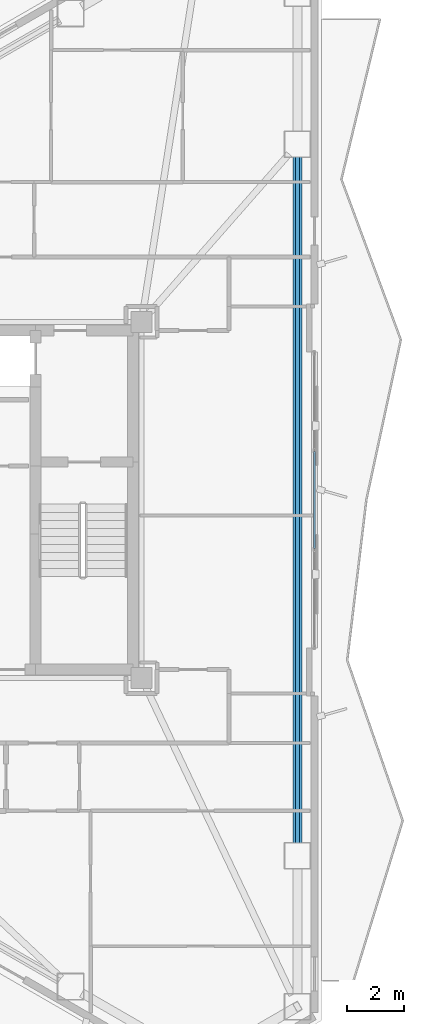
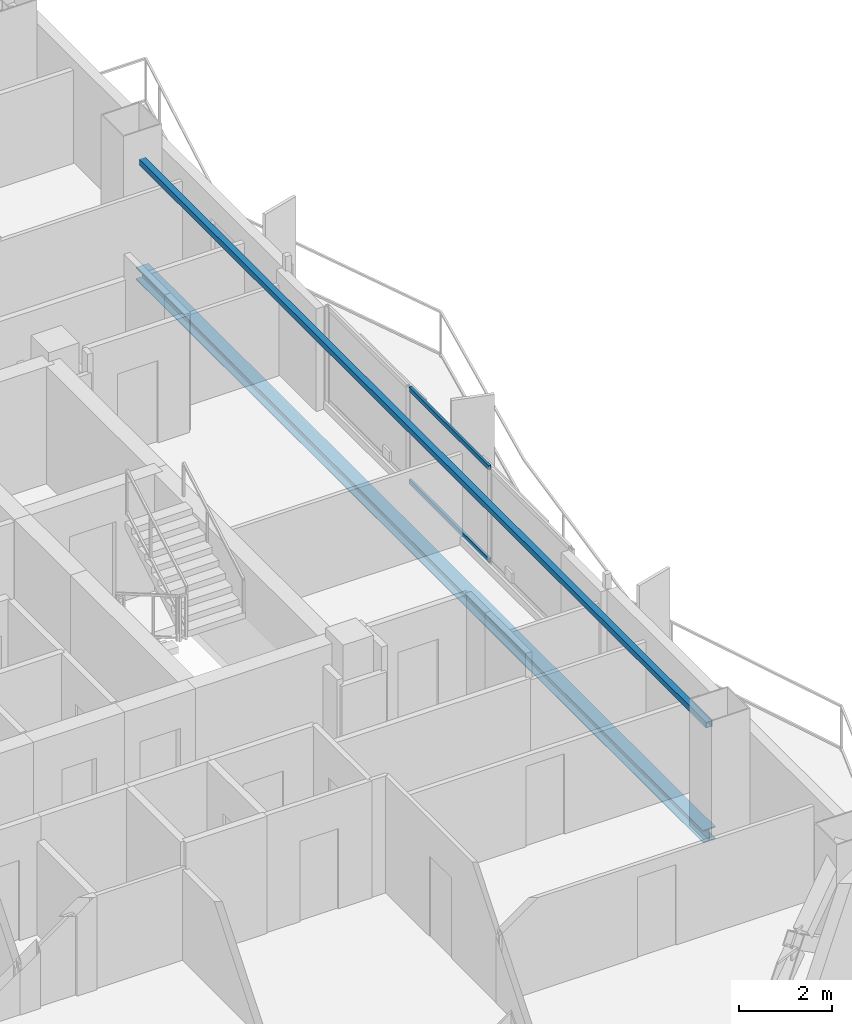
# One storey, part 8 of 19: 2 beams, 2 members, 1 element without a shape of its own.
"""IFC4 building model written with IfcOpenShell, lengths in metres."""

from ifc_helpers import new_model, si_unit, direction, frame, origin, origin_2d, place, context, subcontext, project, spatial, hollow_rectangle, i_section, extrude, material, layer, layer_set, material_profile, profile_set, type_object, element, aggregate, save


model = new_model("IFC4")

# Units and contexts
model_context = context("Model", 3, precision=1e-05, world=origin(), true_north=direction((0.0, 1.0)))
body_context = subcontext(model_context, "Body", "Model", "MODEL_VIEW")
ifc_project = project(units=[si_unit("LENGTHUNIT", "METRE"), si_unit("AREAUNIT", "SQUARE_METRE"), si_unit("VOLUMEUNIT", "CUBIC_METRE"), si_unit("PLANEANGLEUNIT", "RADIAN"), si_unit("MASSUNIT", "GRAM", prefix="KILO")], contexts=[model_context])

# Site, building, storey
site_placement = place(None, origin())
site = spatial("IfcSite", under=ifc_project, at=site_placement, CompositionType="ELEMENT")
building_placement = place(site_placement, origin())
building = spatial("IfcBuilding", under=site, at=building_placement, Name="Mersakhor Tower and Convention Hall", CompositionType="ELEMENT")
storey_placement = place(building_placement, frame((0.0, 0.0, 147.60009765625)))
storey = spatial("IfcBuildingStorey", under=building, at=storey_placement, Name="L41", CompositionType="ELEMENT", Elevation=147.60009765625)

# Beams
ifc_material_1 = material(Name="Steel S355", Category="steel")
ifc_material_profile_1 = material_profile(ifc_material_1, hollow_rectangle(XDim=0.14990234375, YDim=0.14990234375, WallThickness=0.010009765625, at=origin_2d()), Name="SHS 150x150x10")
ifc_profile_set_1 = profile_set([ifc_material_profile_1], Name="Steel S355")
beam_type_1 = type_object("IfcBeamType", Name="BM-GRT-SHS150", PredefinedType="USERDEFINED", material=ifc_profile_set_1)
beam_1_placement = place(storey_placement, frame((41.619140625, 38.8837890625, 2.47998046875), z_axis=(0.0, -1.0, 0.0), x_axis=(1.0, 0.0, 0.0)))
element("IfcBeam", 1, at=beam_1_placement, inside=storey, type_object=beam_type_1, Name="L41 Facade Support Girt GRT-F2", ObjectType="GIRT", PredefinedType="USERDEFINED", context=body_context, shape_type="SweptSolid", body=[
    extrude(hollow_rectangle(XDim=0.14990234375, YDim=0.14990234375, WallThickness=0.010009765625, at=origin_2d()), origin(), (0.0, 0.0, 1.0), 24.267578125),
])
ifc_material_2 = material(Name="Steel S355", Category="steel")
ifc_material_profile_2 = material_profile(ifc_material_2, i_section(OverallWidth=0.30908203125, OverallDepth=0.320556640625, WebThickness=0.013916015625, FlangeThickness=0.021728515625, at=origin_2d()), Name="UC 305x305x137")
ifc_profile_set_2 = profile_set([ifc_material_profile_2], Name="Steel S355")
beam_type_2 = type_object("IfcBeamType", Name="BM-SPD-UC305", PredefinedType="SPANDREL", material=ifc_profile_set_2)
beam_2_placement = place(storey_placement, frame((41.619140625, 38.8837890625, -0.400390625), z_axis=(0.0, -1.0, 0.0), x_axis=(1.0, 0.0, 0.0)))
element("IfcBeam", 2, at=beam_2_placement, inside=storey, type_object=beam_type_2, Name="L41 Perimeter Spandrel Beam SPB-06", PredefinedType="SPANDREL", context=body_context, shape_type="SweptSolid", body=[
    extrude(i_section(OverallWidth=0.30908203125, OverallDepth=0.320556640625, WebThickness=0.013916015625, FlangeThickness=0.021728515625, at=origin_2d()), origin(), (0.0, 0.0, 1.0), 24.267578125),
])

# Curtain wall, members
ifc_material_3 = material(Name="Dark solar low-E aluminium curtain wall", Category="aluminium")
ifc_layer = layer(ifc_material_3, 0.169921875)
ifc_layer_set = layer_set([ifc_layer], Name="Dark solar low-E aluminium curtain wall")
curtain_wall_type = type_object("IfcCurtainWallType", Name="CW-SYS-02", PredefinedType="USERDEFINED", material=ifc_layer_set)
curtain_wall_placement = place(storey_placement, origin())
curtain_wall = element("IfcCurtainWall", 3, at=curtain_wall_placement, inside=storey, type_object=curtain_wall_type, Name="L41 Dark-Glass Curtain Wall F2-B2", ObjectType="CURTAIN WALL", PredefinedType="USERDEFINED")
ifc_material_4 = material(Name="Anodised aluminium EN AW-6063 T6", Category="aluminium")
ifc_material_profile_3 = material_profile(ifc_material_4, hollow_rectangle(XDim=0.06005859375, YDim=0.1201171875, WallThickness=0.0048828125, at=origin_2d()), Name="RHS 120x60x5")
ifc_profile_set_3 = profile_set([ifc_material_profile_3], Name="Anodised aluminium EN AW-6063 T6")
member_type = type_object("IfcMemberType", Name="CWT-120x60", PredefinedType="USERDEFINED", material=ifc_profile_set_3)
member_1_placement = place(storey_placement, frame((42.21923828125, 28.460205078125, 0.22998046875), z_axis=(0.0, -1.0, 0.0), x_axis=(1.0, 0.0, 0.0)))
member_1 = element("IfcMember", 4, at=member_1_placement, type_object=member_type, Name="CW-02 transom 2.1", ObjectType="TRANSOM", PredefinedType="USERDEFINED", context=body_context, shape_type="SweptSolid", body=[
    extrude(hollow_rectangle(XDim=0.06005859375, YDim=0.1201171875, WallThickness=0.0048828125, at=origin_2d()), origin(), (0.0, 0.0, 1.0), 3.42041015625),
])
member_2_placement = place(storey_placement, frame((42.21923828125, 28.460205078125, 2.64990234375), z_axis=(0.0, -1.0, 0.0), x_axis=(1.0, 0.0, 0.0)))
member_2 = element("IfcMember", 5, at=member_2_placement, type_object=member_type, Name="CW-02 transom 2.2", ObjectType="TRANSOM", PredefinedType="USERDEFINED", context=body_context, shape_type="SweptSolid", body=[
    extrude(hollow_rectangle(XDim=0.06005859375, YDim=0.1201171875, WallThickness=0.0048828125, at=origin_2d()), origin(), (0.0, 0.0, 1.0), 3.42041015625),
])
aggregate(curtain_wall, [member_1, member_2])

save(model, "model.ifc")
